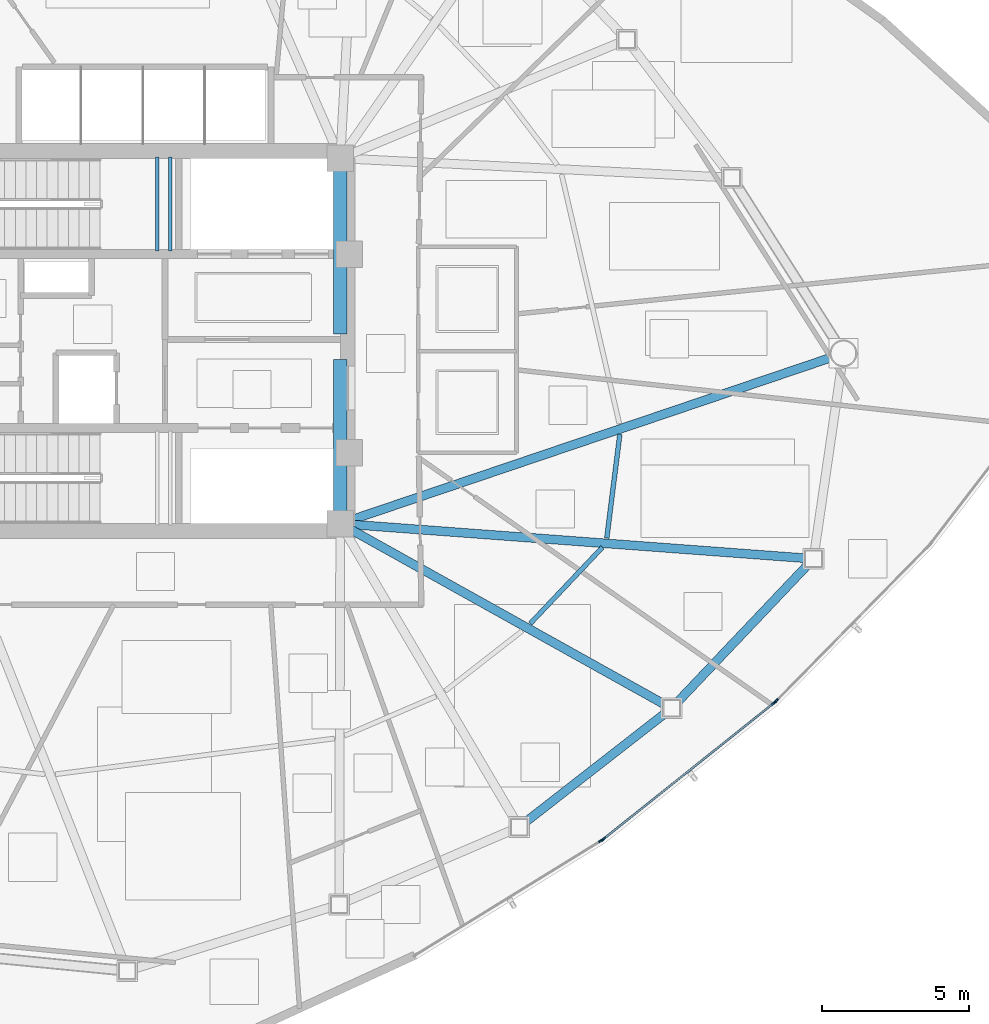
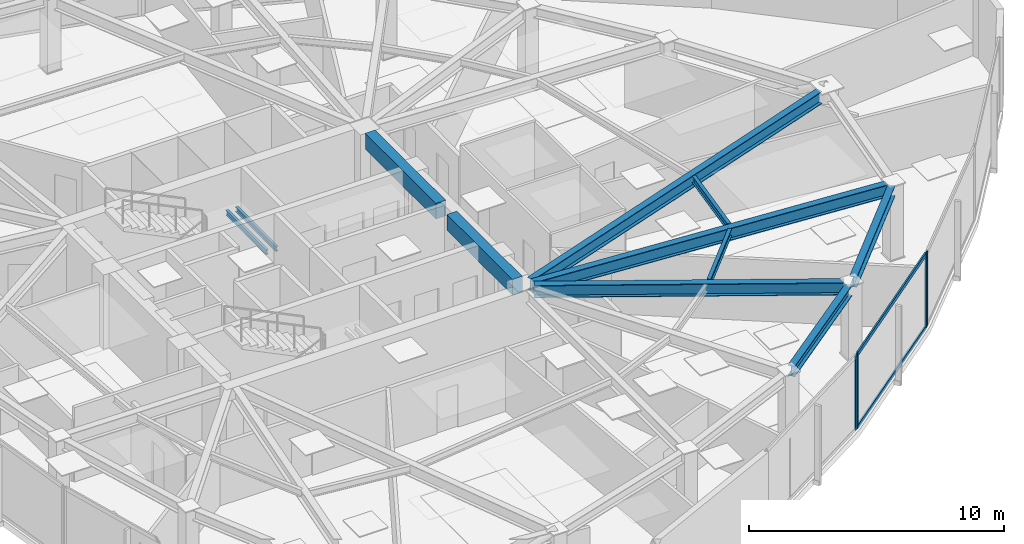
# One storey, part 5 of 18: 11 beams, 6 members, 3 elements without a shape of their own.
"""IFC4 building model written with IfcOpenShell, lengths in metres."""

from ifc_helpers import new_model, si_unit, direction, frame, origin, origin_2d, place, context, subcontext, project, spatial, rectangle, hollow_rectangle, i_section, extrude, source, transform, mapped, material, layer, layer_set, material_profile, profile_set, type_object, type_shapes, element, aggregate, save


model = new_model("IFC4")

# Units and contexts
model_context = context("Model", 3, precision=1e-05, world=origin(), true_north=direction((0.0, 1.0)))
body_context = subcontext(model_context, "Body", "Model", "MODEL_VIEW")
ifc_project = project(units=[si_unit("LENGTHUNIT", "METRE"), si_unit("AREAUNIT", "SQUARE_METRE"), si_unit("VOLUMEUNIT", "CUBIC_METRE"), si_unit("PLANEANGLEUNIT", "RADIAN"), si_unit("MASSUNIT", "GRAM", prefix="KILO")], contexts=[model_context])

# Site, building, storey
site_placement = place(None, origin())
site = spatial("IfcSite", under=ifc_project, at=site_placement, CompositionType="ELEMENT")
building_placement = place(site_placement, origin())
building = spatial("IfcBuilding", under=site, at=building_placement, Name="Tavelor Broadcast Tower", CompositionType="ELEMENT")
storey_placement = place(building_placement, frame((0.0, 0.0, 181.050048828125)))
storey = spatial("IfcBuildingStorey", under=building, at=storey_placement, Name="L43", CompositionType="ELEMENT", Elevation=181.050048828125)

# Beams
ifc_material_1 = material(Name="Concrete C40/50", Category="concrete")
ifc_material_profile_1 = material_profile(ifc_material_1, rectangle(XDim=0.449951171875, YDim=0.75, at=origin_2d()), Name="RC 450x750")
ifc_profile_set_1 = profile_set([ifc_material_profile_1], Name="Concrete C40/50")
beam_type_1 = type_object("IfcBeamType", Name="Basement Core Trim Beam 450x750", PredefinedType="BEAM", material=ifc_profile_set_1)
beam_1_placement = place(storey_placement, frame((56.60009765625, 45.23193359375, 3.175048828125), z_axis=(0.0, 1.0, 0.0), x_axis=(-1.0, 0.0, 0.0)))
element("IfcBeam", 1, at=beam_1_placement, inside=storey, type_object=beam_type_1, Name="L43 Core East-N Tie Girder", PredefinedType="BEAM", context=body_context, shape_type="SweptSolid", body=[
    extrude(rectangle(XDim=0.449951171875, YDim=0.75, at=origin_2d()), origin(), (0.0, 0.0, 1.0), 5.5361328125),
])
beam_2_placement = place(storey_placement, frame((56.60009765625, 39.23193359375, 3.175048828125), z_axis=(0.0, 1.0, 0.0), x_axis=(-1.0, 0.0, 0.0)))
element("IfcBeam", 2, at=beam_2_placement, inside=storey, type_object=beam_type_1, Name="L43 Core East-S Tie Girder", PredefinedType="BEAM", context=body_context, shape_type="SweptSolid", body=[
    extrude(rectangle(XDim=0.449951171875, YDim=0.75, at=origin_2d()), origin(), (0.0, 0.0, 1.0), 5.135986328125),
])
ifc_material_2 = material(Name="Steel S355", Category="steel")
ifc_material_profile_2 = material_profile(ifc_material_2, i_section(OverallWidth=0.159912109375, OverallDepth=0.330078125, WebThickness=0.007568359375, FlangeThickness=0.011474609375, at=origin_2d()), Name="IPE 330")
ifc_profile_set_2 = profile_set([ifc_material_profile_2], Name="Steel S355")
beam_type_2 = type_object("IfcBeamType", Name="Composite Floor Joist T4 IPE 330", PredefinedType="JOIST", material=ifc_profile_set_2)
beam_3_placement = place(storey_placement, frame((63.04541015625, 35.4072265625, 3.385009765625), z_axis=(0.687334543524, 0.726340984166, 0.0), x_axis=(-0.726340984166, 0.687334543524, 0.0)))
element("IfcBeam", 3, at=beam_3_placement, inside=storey, type_object=beam_type_2, Name="L43 Secondary Composite Floor Joist 11", PredefinedType="JOIST", context=body_context, shape_type="SweptSolid", body=[
    extrude(i_section(OverallWidth=0.159912109375, OverallDepth=0.330078125, WebThickness=0.007568359375, FlangeThickness=0.011474609375, at=origin_2d()), origin(), (0.0, 0.0, 1.0), 3.567626953125),
])
beam_4_placement = place(storey_placement, frame((65.64453125, 38.3095703125, 3.385009765625), z_axis=(0.124499310057, 0.992219694319, 0.0), x_axis=(-0.992219694319, 0.124499310057, 0.0)))
element("IfcBeam", 4, at=beam_4_placement, inside=storey, type_object=beam_type_2, Name="L43 Secondary Composite Floor Joist 12", PredefinedType="JOIST", context=body_context, shape_type="SweptSolid", body=[
    extrude(i_section(OverallWidth=0.159912109375, OverallDepth=0.330078125, WebThickness=0.007568359375, FlangeThickness=0.011474609375, at=origin_2d()), origin(), (0.0, 0.0, 1.0), 3.55712890625),
])
ifc_material_profile_3 = material_profile(ifc_material_2, i_section(OverallWidth=0.300048828125, OverallDepth=0.5, WebThickness=0.014404296875, FlangeThickness=0.028076171875, at=origin_2d()), Name="HEB 500")
ifc_profile_set_3 = profile_set([ifc_material_profile_3], Name="Steel S355")
beam_type_3 = type_object("IfcBeamType", Name="Perimeter Spandrel Beam T4 HEB 500", PredefinedType="SPANDREL", material=ifc_profile_set_3)
beam_5_placement = place(storey_placement, frame((62.896484375, 28.68017578125, 3.300048828125), z_axis=(0.788978387361, 0.614420950389, 0.0), x_axis=(-0.614420950389, 0.788978387361, 0.0)))
element("IfcBeam", 5, at=beam_5_placement, inside=storey, type_object=beam_type_3, Name="L43 Framed-Tube Ring Spandrel 10", PredefinedType="SPANDREL", context=body_context, shape_type="SweptSolid", body=[
    extrude(i_section(OverallWidth=0.300048828125, OverallDepth=0.5, WebThickness=0.014404296875, FlangeThickness=0.028076171875, at=origin_2d()), origin(), (0.0, 0.0, 1.0), 5.98046875),
])
beam_6_placement = place(storey_placement, frame((68.04052734375, 32.74072265625, 3.300048828125), z_axis=(0.688387662899, 0.725342970993, 0.0), x_axis=(-0.725342970993, 0.688387662899, 0.0)))
element("IfcBeam", 6, at=beam_6_placement, inside=storey, type_object=beam_type_3, Name="L43 Framed-Tube Ring Spandrel 11", PredefinedType="SPANDREL", context=body_context, shape_type="SweptSolid", body=[
    extrude(i_section(OverallWidth=0.300048828125, OverallDepth=0.5, WebThickness=0.014404296875, FlangeThickness=0.028076171875, at=origin_2d()), origin(), (0.0, 0.0, 1.0), 6.42138671875),
])
ifc_material_profile_4 = material_profile(ifc_material_2, i_section(OverallWidth=0.300048828125, OverallDepth=0.590087890625, WebThickness=0.012939453125, FlangeThickness=0.02490234375, at=origin_2d()), Name="HEA 600")
ifc_profile_set_4 = profile_set([ifc_material_profile_4], Name="Steel S355")
beam_type_4 = type_object("IfcBeamType", Name="Radial Floor Girder T4 HEA 600", PredefinedType="BEAM", material=ifc_profile_set_4)
beam_7_placement = place(storey_placement, frame((56.977294921875, 38.589599609375, 3.2548828125), z_axis=(0.8734199139, -0.486967816187, 0.0), x_axis=(0.486967816187, 0.8734199139, 0.0)))
element("IfcBeam", 7, at=beam_7_placement, inside=storey, type_object=beam_type_4, Name="L43 Radial Primary Floor Girder 11", PredefinedType="BEAM", context=body_context, shape_type="SweptSolid", body=[
    extrude(i_section(OverallWidth=0.300048828125, OverallDepth=0.590087890625, WebThickness=0.012939453125, FlangeThickness=0.02490234375, at=origin_2d()), origin(), (0.0, 0.0, 1.0), 12.151611328125),
])
beam_8_placement = place(storey_placement, frame((57.03076171875, 38.76806640625, 3.2548828125), z_axis=(0.997253315852, -0.074066348787, 0.0), x_axis=(0.074066348787, 0.997253315852, 0.0)))
element("IfcBeam", 8, at=beam_8_placement, inside=storey, type_object=beam_type_4, Name="L43 Radial Primary Floor Girder 12", PredefinedType="BEAM", context=body_context, shape_type="SweptSolid", body=[
    extrude(i_section(OverallWidth=0.300048828125, OverallDepth=0.590087890625, WebThickness=0.012939453125, FlangeThickness=0.02490234375, at=origin_2d()), origin(), (0.0, 0.0, 1.0), 15.383544921875),
])
beam_9_placement = place(storey_placement, frame((57.00927734375, 38.9384765625, 3.2548828125), z_axis=(0.947214639948, 0.320600102727, 0.0), x_axis=(-0.320600102727, 0.947214639948, 0.0)))
element("IfcBeam", 9, at=beam_9_placement, inside=storey, type_object=beam_type_4, Name="L43 Radial Primary Floor Girder 13", PredefinedType="BEAM", context=body_context, shape_type="SweptSolid", body=[
    extrude(i_section(OverallWidth=0.300048828125, OverallDepth=0.590087890625, WebThickness=0.012939453125, FlangeThickness=0.02490234375, at=origin_2d()), origin(), (0.0, 0.0, 1.0), 17.15673828125),
])
ifc_material_profile_5 = material_profile(ifc_material_2, i_section(OverallWidth=0.1201171875, OverallDepth=0.239990234375, WebThickness=0.006103515625, FlangeThickness=0.009765625, at=origin_2d()), Name="IPE 240")
ifc_profile_set_5 = profile_set([ifc_material_profile_5], Name="Steel S355")
beam_type_5 = type_object("IfcBeamType", Name="Stairwell Landing Support Trimmer Beam IPE240", PredefinedType="BEAM", material=ifc_profile_set_5)
for number, where, z_axis, x_axis, name in (
    (10, (50.385009765625, 48.06005859375, 1.60986328125), (0.0, 1.0, 0.0), (-1.0, 0.0, 0.0), "L43 Stair Landing Support Beam 119"),
    (11, (50.824951171875, 48.06005859375, 1.60986328125), (0.0, 1.0, 0.0), (-1.0, 0.0, 0.0), "L43 Stair Landing Support Beam 120"),
):
    element("IfcBeam", number, at=place(storey_placement, frame(where, z_axis=z_axis, x_axis=x_axis)), inside=storey, type_object=beam_type_5, Name=name, PredefinedType="BEAM", context=body_context, shape_type="SweptSolid", body=[
        extrude(i_section(OverallWidth=0.1201171875, OverallDepth=0.239990234375, WebThickness=0.006103515625, FlangeThickness=0.009765625, at=origin_2d()), origin(), (0.0, 0.0, 1.0), 3.179931640625),
    ])

# Curtain wall, member
ifc_material_3 = material(Name="Architectural Anodized Aluminium", Category="aluminium")
ifc_layer = layer(ifc_material_3, 0.18994140625)
ifc_layer_set = layer_set([ifc_layer], Name="Architectural Anodized Aluminium")
curtain_wall_type = type_object("IfcCurtainWallType", Name="Tower Mid-Zone Acoustic Curtain Wall CW03", PredefinedType="NOTDEFINED", material=ifc_layer_set)
curtain_wall_1_placement = place(storey_placement, origin())
curtain_wall_1 = element("IfcCurtainWall", 12, at=curtain_wall_1_placement, inside=storey, type_object=curtain_wall_type, Name="L43 Curtain Wall CW03 Run 461", PredefinedType="NOTDEFINED")
ifc_material_profile_6 = material_profile(ifc_material_3, hollow_rectangle(XDim=0.068115234375, YDim=0.18994140625, WallThickness=0.02197265625, at=origin_2d()), Name="RHS 68x190x22")
ifc_profile_set_6 = profile_set([ifc_material_profile_6], Name="Architectural Anodized Aluminium")
member_type_1 = type_object("IfcMemberType", Name="CW03 Extruded Aluminium Mullion 68x190", PredefinedType="MULLION", material=ifc_profile_set_6)
shared_shape_1 = source(origin(), body_context, "Body", "SweptSolid", [
    extrude(hollow_rectangle(XDim=0.068115234375, YDim=0.18994140625, WallThickness=0.02197265625, at=origin_2d()), origin(), (0.0, 0.0, 1.0), 3.550048828125),
])
type_shapes(member_type_1, [shared_shape_1])
member_1_placement = place(storey_placement, frame((65.4560546875, 28.04541015625, 0.0), z_axis=(0.0, 0.0, 1.0), x_axis=(-0.524352760704, 0.851501134669, 0.0)))
member_1 = element("IfcMember", 13, at=member_1_placement, type_object=member_type_1, Name="CW03 mullion 2", PredefinedType="MULLION", context=body_context, shape_type="MappedRepresentation", body=[
    mapped(shared_shape_1, transform((0.0, 0.0, 0.0), scale=1.0)),
])
aggregate(curtain_wall_1, [member_1])

# Curtain wall, members
curtain_wall_2_placement = place(storey_placement, origin())
curtain_wall_2 = element("IfcCurtainWall", 14, at=curtain_wall_2_placement, inside=storey, type_object=curtain_wall_type, Name="L43 Curtain Wall CW03 Run 462", PredefinedType="NOTDEFINED")
member_2_placement = place(storey_placement, frame((65.5361328125, 28.101806640625, 0.0), z_axis=(0.0, 0.0, 1.0), x_axis=(-0.623544770402, 0.781787643356, 0.0)))
member_2 = element("IfcMember", 15, at=member_2_placement, type_object=member_type_1, Name="CW03 mullion 1", PredefinedType="MULLION", context=body_context, shape_type="MappedRepresentation", body=[
    mapped(shared_shape_1, transform((0.0, 0.0, 0.0), scale=1.0)),
])
member_3_placement = place(storey_placement, frame((71.313232421875, 32.70947265625, 0.0), z_axis=(0.0, 0.0, 1.0), x_axis=(-0.623544770402, 0.781787643356, 0.0)))
member_3 = element("IfcMember", 16, at=member_3_placement, type_object=member_type_1, Name="CW03 mullion 2", PredefinedType="MULLION", context=body_context, shape_type="MappedRepresentation", body=[
    mapped(shared_shape_1, transform((0.0, 0.0, 0.0), scale=1.0)),
])

# Curtain wall, member
curtain_wall_3_placement = place(storey_placement, origin())
curtain_wall_3 = element("IfcCurtainWall", 17, at=curtain_wall_3_placement, inside=storey, type_object=curtain_wall_type, Name="L43 Curtain Wall CW03 Run 463", PredefinedType="NOTDEFINED")
member_4_placement = place(storey_placement, frame((71.3857421875, 32.77490234375, 0.0), z_axis=(0.0, 0.0, 1.0), x_axis=(-0.713567261268, 0.700586728141, 0.0)))
member_4 = element("IfcMember", 18, at=member_4_placement, type_object=member_type_1, Name="CW03 mullion 1", PredefinedType="MULLION", context=body_context, shape_type="MappedRepresentation", body=[
    mapped(shared_shape_1, transform((0.0, 0.0, 0.0), scale=1.0)),
])
aggregate(curtain_wall_3, [member_4])

# Member
ifc_material_profile_7 = material_profile(ifc_material_3, hollow_rectangle(XDim=0.068115234375, YDim=0.18994140625, WallThickness=0.02197265625, at=origin_2d()), Name="RHS 68x190x22")
ifc_profile_set_7 = profile_set([ifc_material_profile_7], Name="Architectural Anodized Aluminium")
member_type_2 = type_object("IfcMemberType", Name="CW03 Extruded Aluminium Transom 68x190", PredefinedType="USERDEFINED", material=ifc_profile_set_7)
shared_shape_2 = source(origin(), body_context, "Body", "SweptSolid", [
    extrude(hollow_rectangle(XDim=0.068115234375, YDim=0.18994140625, WallThickness=0.02197265625, at=origin_2d()), origin(), (0.0, 0.0, 1.0), 7.321533203125),
])
type_shapes(member_type_2, [shared_shape_2])
member_5_placement = place(storey_placement, frame((65.562744140625, 28.122802734375, 0.033935546875), z_axis=(0.781778873346, 0.623555765902, 0.0), x_axis=(-0.623555765902, 0.781778873346, 0.0)))
member_5 = element("IfcMember", 19, at=member_5_placement, type_object=member_type_2, Name="CW03 transom 1.1", ObjectType="TRANSOM", PredefinedType="USERDEFINED", context=body_context, shape_type="MappedRepresentation", body=[
    mapped(shared_shape_2, transform((0.0, 0.0, 0.0), scale=1.0)),
])

member_6_placement = place(storey_placement, frame((65.562744140625, 28.122802734375, 3.515869140625), z_axis=(0.781778873346, 0.623555765902, 0.0), x_axis=(-0.623555765902, 0.781778873346, 0.0)))
member_6 = element("IfcMember", 20, at=member_6_placement, type_object=member_type_2, Name="CW03 transom 1.2", ObjectType="TRANSOM", PredefinedType="USERDEFINED", context=body_context, shape_type="MappedRepresentation", body=[
    mapped(shared_shape_2, transform((0.0, 0.0, 0.0), scale=1.0)),
])

aggregate(curtain_wall_2, [member_2, member_3, member_5, member_6])

save(model, "model.ifc")
